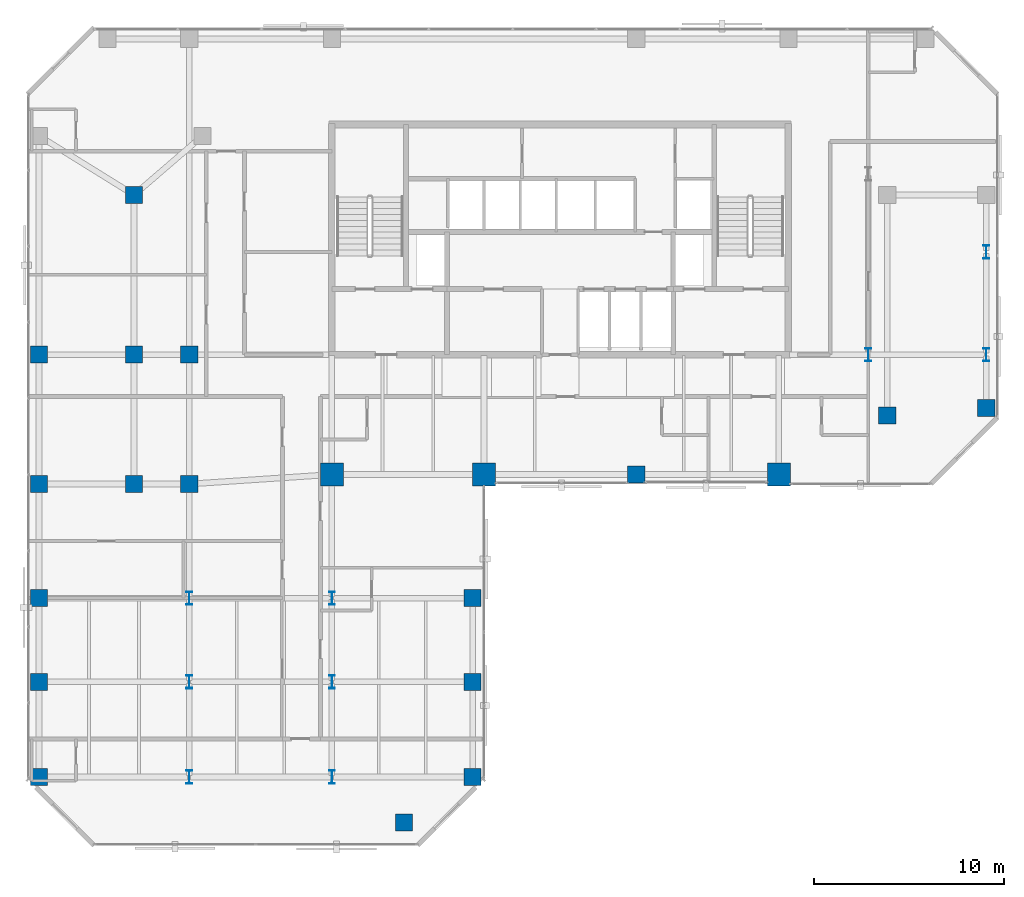
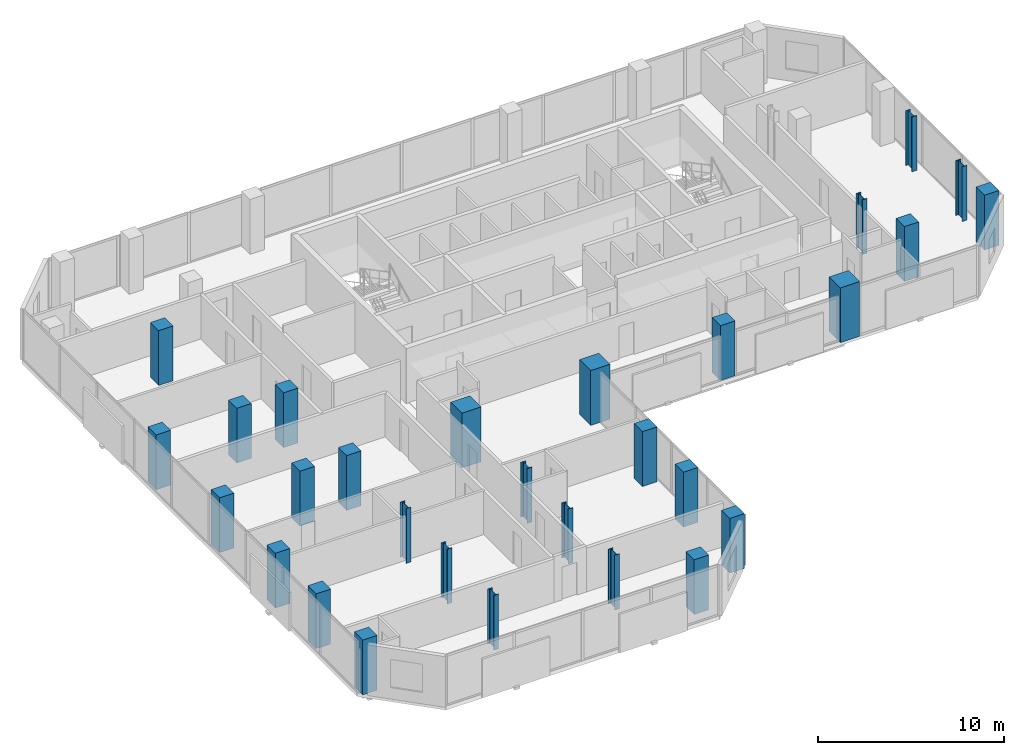
# One storey, part 1 of 33: 29 columns.
"""IFC4 building model written with IfcOpenShell, lengths in metres."""

from ifc_helpers import new_model, si_unit, direction, frame, origin, origin_2d, place, context, subcontext, project, spatial, rectangle, i_section, extrude, material, material_profile, profile_set, type_object, element, save


model = new_model("IFC4")

# Units and contexts
model_context = context("Model", 3, precision=1e-05, world=origin(), true_north=direction((0.0, 1.0)))
body_context = subcontext(model_context, "Body", "Model", "MODEL_VIEW")
ifc_project = project(units=[si_unit("LENGTHUNIT", "METRE"), si_unit("AREAUNIT", "SQUARE_METRE"), si_unit("VOLUMEUNIT", "CUBIC_METRE"), si_unit("PLANEANGLEUNIT", "RADIAN"), si_unit("MASSUNIT", "GRAM", prefix="KILO")], contexts=[model_context])

# Site, building, storey
site_placement = place(None, origin())
site = spatial("IfcSite", under=ifc_project, at=site_placement, CompositionType="ELEMENT")
building_placement = place(site_placement, origin())
building = spatial("IfcBuilding", under=site, at=building_placement, Name="Catumbela Crestline Tower", CompositionType="ELEMENT")
storey_placement = place(building_placement, frame((0.0, 0.0, 100.8)))
storey = spatial("IfcBuildingStorey", under=building, at=storey_placement, Name="L25", CompositionType="ELEMENT", Elevation=100.8)

# Columns
ifc_material_1 = material(Name="Concrete C50/60", Category="concrete")
ifc_material_profile_1 = material_profile(ifc_material_1, rectangle(XDim=1.2, YDim=1.2, at=origin_2d()), Name="RC 1200x1200")
ifc_profile_set_1 = profile_set([ifc_material_profile_1], Name="Concrete C50/60")
column_type_1 = type_object("IfcColumnType", Name="C-RC1200-C50", PredefinedType="COLUMN", material=ifc_profile_set_1)
for number, where, z_axis, x_axis, name in (
    (1, (16.0, 24.5, 0.0), (0.0, 0.0, 1.0), (1.0, 0.0, 0.0), "L25 Column C-16-24 (RC 1200x1200)"),
    (2, (24.0, 24.5, 0.0), (0.0, 0.0, 1.0), (1.0, 0.0, 0.0), "L25 Column C-24-24 (RC 1200x1200)"),
    (3, (39.5, 24.5, 0.0), (0.0, 0.0, 1.0), (1.0, 0.0, 0.0), "L25 Column C-40-24 (RC 1200x1200)"),
):
    element("IfcColumn", number, at=place(storey_placement, frame(where, z_axis=z_axis, x_axis=x_axis)), inside=storey, type_object=column_type_1, Name=name, PredefinedType="COLUMN", context=body_context, shape_type="SweptSolid", body=[
        extrude(rectangle(XDim=1.2, YDim=1.2, at=origin_2d()), origin(), (0.0, 0.0, 1.0), 3.6),
    ])
ifc_material_profile_2 = material_profile(ifc_material_1, rectangle(XDim=0.9, YDim=0.9, at=origin_2d()), Name="RC 900x900")
ifc_profile_set_2 = profile_set([ifc_material_profile_2], Name="Concrete C50/60")
column_type_2 = type_object("IfcColumnType", Name="C-RC900-C50", PredefinedType="COLUMN", material=ifc_profile_set_2)
for number, where, z_axis, x_axis, name in (
    (4, (8.5, 24.0, 0.0), (0.0, 0.0, 1.0), (1.0, 0.0, 0.0), "L25 Column C-08-24 (RC 900x900)"),
    (5, (32.0, 24.5, 0.0), (0.0, 0.0, 1.0), (1.0, 0.0, 0.0), "L25 Column C-32-24 (RC 900x900)"),
    (6, (5.6, 24.0, 0.0), (0.0, 0.0, 1.0), (1.0, 0.0, 0.0), "L25 Column C-05-24 (RC 900x900)"),
    (7, (5.6, 30.8, 0.0), (0.0, 0.0, 1.0), (1.0, 0.0, 0.0), "L25 Column C-05-31 (RC 900x900)"),
    (8, (5.6, 39.2, 0.0), (0.0, 0.0, 1.0), (1.0, 0.0, 0.0), "L25 Column C-05-43 (RC 900x900)"),
    (9, (8.5, 30.8, 0.0), (0.0, 0.0, 1.0), (1.0, 0.0, 0.0), "L25 Column C-08-31 (RC 900x900)"),
    (10, (45.2, 27.6, 0.0), (0.0, 0.0, 1.0), (1.0, 0.0, 0.0), "L25 Column C-46-24 (RC 900x900)"),
    (11, (0.6, 24.0, 0.0), (0.0, 0.0, 1.0), (1.0, 0.0, 0.0), "L25 Column C-00-24 (RC 900x900)"),
    (12, (0.6, 30.8, 0.0), (0.0, 0.0, 1.0), (1.0, 0.0, 0.0), "L25 Column C-00-31 (RC 900x900)"),
    (13, (50.4, 28.0, 0.0), (0.0, 0.0, 1.0), (1.0, 0.0, 0.0), "L25 Column C-51-24 (RC 900x900)"),
    (14, (0.6, 8.6, 0.0), (0.0, 0.0, 1.0), (1.0, 0.0, 0.0), "L25 Column C-00-05 (RC 900x900)"),
    (15, (0.6, 13.6, 0.0), (0.0, 0.0, 1.0), (1.0, 0.0, 0.0), "L25 Column C-00-10 (RC 900x900)"),
    (16, (0.6, 18.0, 0.0), (0.0, 0.0, 1.0), (1.0, 0.0, 0.0), "L25 Column C-00-16 (RC 900x900)"),
    (17, (19.8, 6.2, 0.0), (0.0, 0.0, 1.0), (1.0, 0.0, 0.0), "L25 Column C-24-05 (RC 900x900)"),
    (18, (23.4, 8.6, 0.0), (0.0, 0.0, 1.0), (1.0, 0.0, 0.0), "L25 Column C-23-08 (RC 900x900)"),
    (19, (23.4, 13.6, 0.0), (0.0, 0.0, 1.0), (1.0, 0.0, 0.0), "L25 Column C-24-10 (RC 900x900)"),
    (20, (23.4, 18.0, 0.0), (0.0, 0.0, 1.0), (1.0, 0.0, 0.0), "L25 Column C-24-16 (RC 900x900)"),
):
    element("IfcColumn", number, at=place(storey_placement, frame(where, z_axis=z_axis, x_axis=x_axis)), inside=storey, type_object=column_type_2, Name=name, PredefinedType="COLUMN", context=body_context, shape_type="SweptSolid", body=[
        extrude(rectangle(XDim=0.9, YDim=0.9, at=origin_2d()), origin(), (0.0, 0.0, 1.0), 3.6),
    ])
ifc_material_2 = material(Name="Structural steel S460M", Category="steel")
ifc_material_profile_3 = material_profile(ifc_material_2, i_section(OverallWidth=0.3, OverallDepth=0.7, WebThickness=0.017, FlangeThickness=0.032, FilletRadius=0.027, at=origin_2d()), Name="HEB 700")
ifc_profile_set_3 = profile_set([ifc_material_profile_3], Name="Structural steel S460M")
column_type_3 = type_object("IfcColumnType", Name="C-ST-HEB700", PredefinedType="COLUMN", material=ifc_profile_set_3)
for number, where, z_axis, x_axis, name in (
    (21, (8.5, 8.6, 0.0), (0.0, 0.0, 1.0), (1.0, 0.0, 0.0), "L25 Column CT-05-05 (HEB 700)"),
    (22, (16.0, 8.6, 0.0), (0.0, 0.0, 1.0), (1.0, 0.0, 0.0), "L25 Column CT-14-05 (HEB 700)"),
    (23, (8.5, 13.6, 0.0), (0.0, 0.0, 1.0), (1.0, 0.0, 0.0), "L25 Column CT-05-10 (HEB 700)"),
    (24, (16.0, 13.6, 0.0), (0.0, 0.0, 1.0), (1.0, 0.0, 0.0), "L25 Column CT-14-10 (HEB 700)"),
    (25, (8.5, 18.0, 0.0), (0.0, 0.0, 1.0), (1.0, 0.0, 0.0), "L25 Column CT-05-16 (HEB 700)"),
    (26, (16.0, 18.0, 0.0), (0.0, 0.0, 1.0), (1.0, 0.0, 0.0), "L25 Column CT-14-16 (HEB 700)"),
    (27, (44.2, 30.8, 0.0), (0.0, 0.0, 1.0), (1.0, 0.0, 0.0), "L25 Column CT-46-31 (HEB 700)"),
    (28, (50.4, 30.8, 0.0), (0.0, 0.0, 1.0), (1.0, 0.0, 0.0), "L25 Column CT-51-31 (HEB 700)"),
    (29, (50.4, 36.2, 0.0), (0.0, 0.0, 1.0), (1.0, 0.0, 0.0), "L25 Column CT-51-37 (HEB 700)"),
):
    element("IfcColumn", number, at=place(storey_placement, frame(where, z_axis=z_axis, x_axis=x_axis)), inside=storey, type_object=column_type_3, Name=name, PredefinedType="COLUMN", context=body_context, shape_type="SweptSolid", body=[
        extrude(i_section(OverallWidth=0.3, OverallDepth=0.7, WebThickness=0.017, FlangeThickness=0.032, FilletRadius=0.027, at=origin_2d()), origin(), (0.0, 0.0, 1.0), 3.6),
    ])

save(model, "model.ifc")
